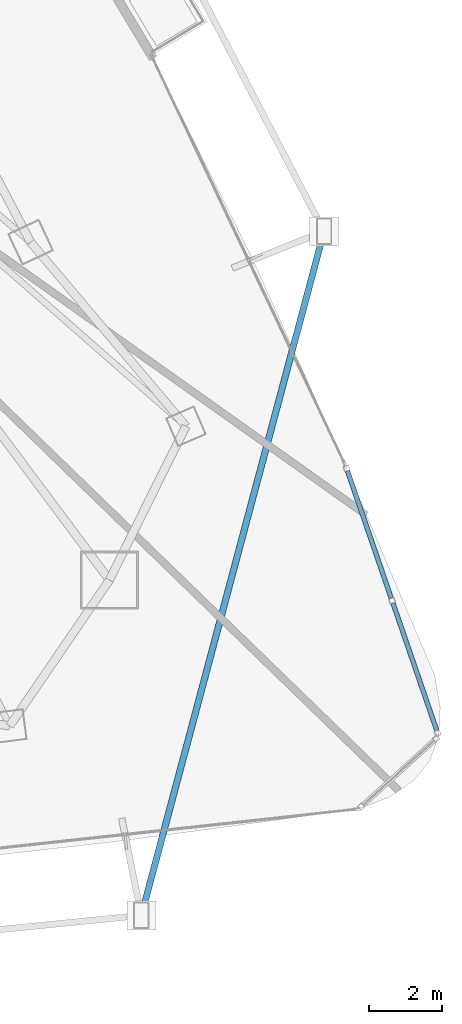
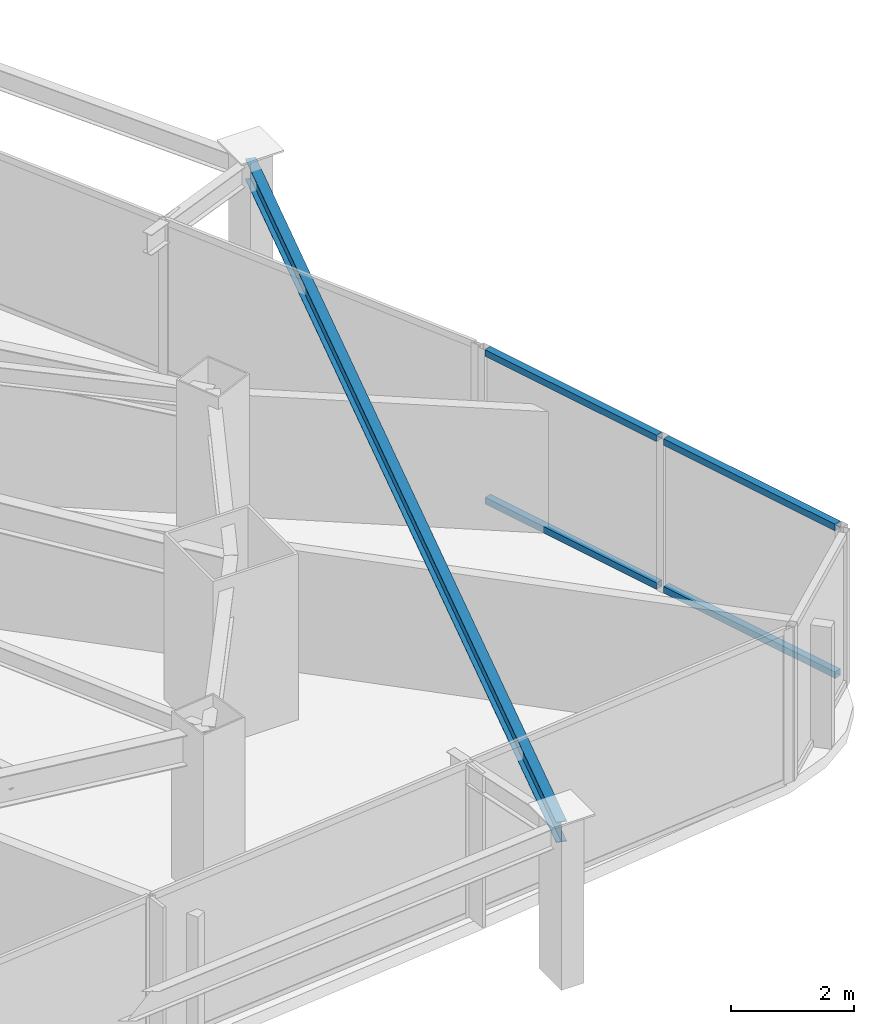
# One storey, part 15 of 33: 4 members, 1 beam, 1 element without a shape of its own.
"""IFC4 building model written with IfcOpenShell, lengths in metres."""

from ifc_helpers import new_model, si_unit, direction, frame, origin, origin_2d, place, context, subcontext, project, spatial, hollow_rectangle, i_section, extrude, material, layer, layer_set, material_profile, profile_set, type_object, element, aggregate, save


model = new_model("IFC4")

# Units and contexts
model_context = context("Model", 3, precision=1e-05, world=origin(), true_north=direction((0.0, 1.0)))
body_context = subcontext(model_context, "Body", "Model", "MODEL_VIEW")
ifc_project = project(units=[si_unit("LENGTHUNIT", "METRE"), si_unit("AREAUNIT", "SQUARE_METRE"), si_unit("VOLUMEUNIT", "CUBIC_METRE"), si_unit("PLANEANGLEUNIT", "RADIAN"), si_unit("MASSUNIT", "GRAM", prefix="KILO")], contexts=[model_context])

# Site, building, storey
site_placement = place(None, origin())
site = spatial("IfcSite", under=ifc_project, at=site_placement, CompositionType="ELEMENT")
building_placement = place(site_placement, origin())
building = spatial("IfcBuilding", under=site, at=building_placement, Name="Orvanel Arch Residences", CompositionType="ELEMENT")
storey_placement = place(building_placement, frame((0.0, 0.0, 70.85009765625)))
storey = spatial("IfcBuildingStorey", under=building, at=storey_placement, Name="L19", CompositionType="ELEMENT", Elevation=70.85009765625)

# Beam
ifc_material_1 = material(Name="Structural steel AS/NZS 3679.1 Grade 300 (300 MPa)", Category="steel")
ifc_material_profile_1 = material_profile(ifc_material_1, i_section(OverallWidth=0.177978515625, OverallDepth=0.406005859375, WebThickness=0.0078125, FlangeThickness=0.0126953125, at=origin_2d()), Name="410UB59.7")
ifc_profile_set_1 = profile_set([ifc_material_profile_1], Name="Structural steel AS/NZS 3679.1 Grade 300 (300 MPa)")
beam_type = type_object("IfcBeamType", Name="OB-410UB-EXT", PredefinedType="SPANDREL", material=ifc_profile_set_1)
beam_placement = place(storey_placement, frame((52.677978515625, 1.12890625, 2.85693359375), z_axis=(0.258088761653, 0.966121209325, 0.0), x_axis=(-0.966121209325, 0.258088761653, 0.0)))
element("IfcBeam", 1, at=beam_placement, inside=storey, type_object=beam_type, Name="L19 Outer Perimeter Floor Ring Beam 08", PredefinedType="SPANDREL", context=body_context, shape_type="SweptSolid", body=[
    extrude(i_section(OverallWidth=0.177978515625, OverallDepth=0.406005859375, WebThickness=0.0078125, FlangeThickness=0.0126953125, at=origin_2d()), origin(), (0.0, 0.0, 1.0), 19.4697265625),
])

# Curtain wall, members
ifc_material_2 = material(Name="Bronze-anodised aluminium AA6063-T6", Category="aluminium")
ifc_layer = layer(ifc_material_2, 0.18994140625)
ifc_layer_set = layer_set([ifc_layer], Name="Bronze-anodised aluminium AA6063-T6")
curtain_wall_type = type_object("IfcCurtainWallType", Name="CW5-CRN-SYS", PredefinedType="NOTDEFINED", material=ifc_layer_set)
curtain_wall_placement = place(storey_placement, origin())
curtain_wall = element("IfcCurtainWall", 2, at=curtain_wall_placement, inside=storey, type_object=curtain_wall_type, Name="L19 CW5-CRN-SYS Unitised Curtain Wall", PredefinedType="NOTDEFINED")
ifc_material_profile_2 = material_profile(ifc_material_2, hollow_rectangle(XDim=0.1298828125, YDim=0.1298828125, WallThickness=0.00439453125, at=origin_2d()), Name="ALU130x130x4.5")
ifc_profile_set_2 = profile_set([ifc_material_profile_2], Name="Bronze-anodised aluminium AA6063-T6")
member_type = type_object("IfcMemberType", Name="TRN-130x130", PredefinedType="USERDEFINED", material=ifc_profile_set_2)
member_1_placement = place(storey_placement, frame((60.80126953125, 6.2158203125, 0.06494140625), z_axis=(-0.325170219717, 0.945655501866, 0.0), x_axis=(-0.945655501866, -0.325170219717, 0.0)))
member_1 = element("IfcMember", 3, at=member_1_placement, type_object=member_type, Name="CW-S5 transom 1.1", ObjectType="TRANSOM", PredefinedType="USERDEFINED", context=body_context, shape_type="SweptSolid", body=[
    extrude(hollow_rectangle(XDim=0.1298828125, YDim=0.1298828125, WallThickness=0.00439453125, at=origin_2d()), origin(), (0.0, 0.0, 1.0), 3.6962890625),
])
member_2_placement = place(storey_placement, frame((60.80126953125, 6.2158203125, 2.994873046875), z_axis=(-0.325170219717, 0.945655501866, 0.0), x_axis=(-0.945655501866, -0.325170219717, 0.0)))
member_2 = element("IfcMember", 4, at=member_2_placement, type_object=member_type, Name="CW-S5 transom 1.2", ObjectType="TRANSOM", PredefinedType="USERDEFINED", context=body_context, shape_type="SweptSolid", body=[
    extrude(hollow_rectangle(XDim=0.1298828125, YDim=0.1298828125, WallThickness=0.00439453125, at=origin_2d()), origin(), (0.0, 0.0, 1.0), 3.6962890625),
])
member_3_placement = place(storey_placement, frame((59.550537109375, 9.85302734375, 0.06494140625), z_axis=(-0.325131459617, 0.945668828907, 0.0), x_axis=(-0.945668828907, -0.325131459617, 0.0)))
member_3 = element("IfcMember", 5, at=member_3_placement, type_object=member_type, Name="CW-S5 transom 2.1", ObjectType="TRANSOM", PredefinedType="USERDEFINED", context=body_context, shape_type="SweptSolid", body=[
    extrude(hollow_rectangle(XDim=0.1298828125, YDim=0.1298828125, WallThickness=0.00439453125, at=origin_2d()), origin(), (0.0, 0.0, 1.0), 3.69580078125),
])
member_4_placement = place(storey_placement, frame((59.550537109375, 9.85302734375, 2.994873046875), z_axis=(-0.325131459617, 0.945668828907, 0.0), x_axis=(-0.945668828907, -0.325131459617, 0.0)))
member_4 = element("IfcMember", 6, at=member_4_placement, type_object=member_type, Name="CW-S5 transom 2.2", ObjectType="TRANSOM", PredefinedType="USERDEFINED", context=body_context, shape_type="SweptSolid", body=[
    extrude(hollow_rectangle(XDim=0.1298828125, YDim=0.1298828125, WallThickness=0.00439453125, at=origin_2d()), origin(), (0.0, 0.0, 1.0), 3.69580078125),
])
aggregate(curtain_wall, [member_1, member_2, member_3, member_4])

save(model, "model.ifc")
